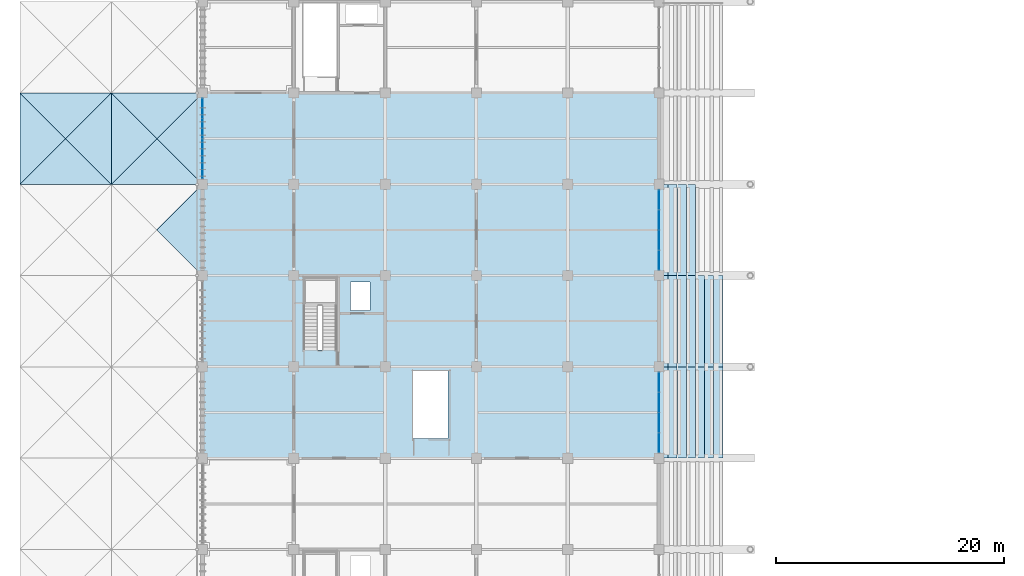
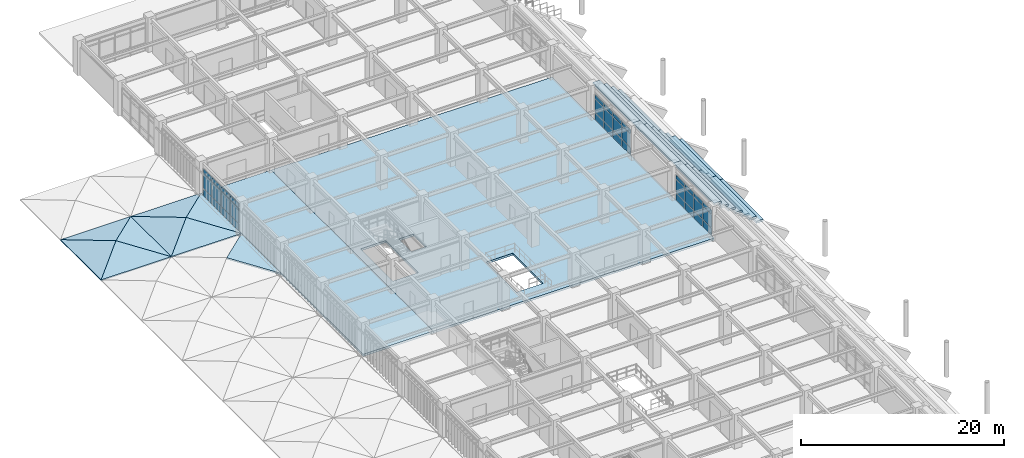
# One storey, part 70 of 118: 36 plates, 29 slabs, 3 elements without a shape of their own.
"""IFC4 building model written with IfcOpenShell, lengths in metres."""

from ifc_helpers import new_model, si_unit, direction, frame, origin, origin_2d, place, context, subcontext, project, spatial, polyline, rectangle, outline, extrude, material, layer, layer_set, type_object, element, aggregate, save


model = new_model("IFC4")

# Units and contexts
model_context = context("Model", 3, precision=1e-05, world=origin(), true_north=direction((0.0, 1.0)))
body_context = subcontext(model_context, "Body", "Model", "MODEL_VIEW")
ifc_project = project(units=[si_unit("LENGTHUNIT", "METRE"), si_unit("AREAUNIT", "SQUARE_METRE"), si_unit("VOLUMEUNIT", "CUBIC_METRE"), si_unit("PLANEANGLEUNIT", "RADIAN"), si_unit("MASSUNIT", "GRAM", prefix="KILO")], contexts=[model_context])

# Site, building, storey
site_placement = place(None, origin())
site = spatial("IfcSite", under=ifc_project, at=site_placement, CompositionType="ELEMENT")
building_placement = place(site_placement, origin())
building = spatial("IfcBuilding", under=site, at=building_placement, Name="Haebicheon Civic Stadium", CompositionType="ELEMENT")
storey_placement = place(building_placement, frame((0.0, 0.0, 14.39990234375)))
storey = spatial("IfcBuildingStorey", under=building, at=storey_placement, Name="L04", CompositionType="ELEMENT", Elevation=14.39990234375)

# Curtain wall, plates
ifc_material_1 = material(Name="Anodised aluminium and laminated glass", Category="aluminium")
ifc_layer_1 = layer(ifc_material_1, 0.179931640625, Name="Anodised aluminium and laminated glass")
ifc_layer_set_1 = layer_set([ifc_layer_1], Name="Anodised aluminium and laminated glass")
curtain_wall_type_1 = type_object("IfcCurtainWallType", Name="CW-7100x3330", PredefinedType="NOTDEFINED", material=ifc_layer_set_1)
curtain_wall_1_placement = place(storey_placement, origin())
curtain_wall_1 = element("IfcCurtainWall", 1, at=curtain_wall_1_placement, inside=storey, type_object=curtain_wall_type_1, material=ifc_layer_set_1, Name="L04 unitised curtain wall 110", PredefinedType="NOTDEFINED")
ifc_material_2 = material(Name="Double low-e acoustic laminated glass", Category="glass")
ifc_layer_2 = layer(ifc_material_2, 0.035888671875, Name="Double low-e acoustic laminated glass")
ifc_layer_set_2 = layer_set([ifc_layer_2], Name="Double low-e acoustic laminated glass")
plate_type_1 = type_object("IfcPlateType", Name="CWP-GLZ-36", PredefinedType="CURTAIN_PANEL", material=ifc_layer_set_2)
plate_1_placement = place(storey_placement, frame((24.0, 121.35498046875, 0.93505859375), z_axis=(0.0, 0.0, 1.0), x_axis=(0.0, 1.0, 0.0)))
plate_1 = element("IfcPlate", 2, at=plate_1_placement, type_object=plate_type_1, material=ifc_layer_set_2, Name="CW-L04-110 vision panel 1.2", PredefinedType="CURTAIN_PANEL", context=body_context, shape_type="SweptSolid", body=[
    extrude(rectangle(XDim=1.669921875, YDim=0.035888671875, at=origin_2d()), origin(), (0.0, 0.0, 1.0), 1.81005859375),
])
plate_2_placement = place(storey_placement, frame((24.0, 123.112060546875, 0.93505859375), z_axis=(0.0, 0.0, 1.0), x_axis=(0.0, 1.0, 0.0)))
plate_2 = element("IfcPlate", 3, at=plate_2_placement, type_object=plate_type_1, material=ifc_layer_set_2, Name="CW-L04-110 vision panel 2.2", PredefinedType="CURTAIN_PANEL", context=body_context, shape_type="SweptSolid", body=[
    extrude(rectangle(XDim=1.705078125, YDim=0.035888671875, at=origin_2d()), origin(), (0.0, 0.0, 1.0), 1.81005859375),
])
plate_3_placement = place(storey_placement, frame((24.0, 124.887939453125, 0.93505859375), z_axis=(0.0, 0.0, 1.0), x_axis=(0.0, 1.0, 0.0)))
plate_3 = element("IfcPlate", 4, at=plate_3_placement, type_object=plate_type_1, material=ifc_layer_set_2, Name="CW-L04-110 vision panel 3.2", PredefinedType="CURTAIN_PANEL", context=body_context, shape_type="SweptSolid", body=[
    extrude(rectangle(XDim=1.705078125, YDim=0.035888671875, at=origin_2d()), origin(), (0.0, 0.0, 1.0), 1.81005859375),
])
plate_4_placement = place(storey_placement, frame((24.0, 126.64501953125, 0.93505859375), z_axis=(0.0, 0.0, 1.0), x_axis=(0.0, 1.0, 0.0)))
plate_4 = element("IfcPlate", 5, at=plate_4_placement, type_object=plate_type_1, material=ifc_layer_set_2, Name="CW-L04-110 vision panel 4.2", PredefinedType="CURTAIN_PANEL", context=body_context, shape_type="SweptSolid", body=[
    extrude(rectangle(XDim=1.669921875, YDim=0.035888671875, at=origin_2d()), origin(), (0.0, 0.0, 1.0), 1.81005859375),
])

ifc_material_3 = material(Name="Anodised aluminium and laminated glass", Category="aluminium")
ifc_layer_3 = layer(ifc_material_3, 0.179931640625, Name="Anodised aluminium and laminated glass")
ifc_layer_set_3 = layer_set([ifc_layer_3], Name="Anodised aluminium and laminated glass")
curtain_wall_type_2 = type_object("IfcCurtainWallType", Name="CW-7100x3100", PredefinedType="NOTDEFINED", material=ifc_layer_set_3)
curtain_wall_2_placement = place(storey_placement, origin())
curtain_wall_2 = element("IfcCurtainWall", 6, at=curtain_wall_2_placement, inside=storey, type_object=curtain_wall_type_2, material=ifc_layer_set_3, Name="L04 unitised curtain wall 120", PredefinedType="NOTDEFINED")
plate_5_placement = place(storey_placement, frame((64.0, 97.35498046875, 0.93505859375), z_axis=(0.0, 0.0, 1.0), x_axis=(0.0, 1.0, 0.0)))
plate_5 = element("IfcPlate", 7, at=plate_5_placement, type_object=plate_type_1, material=ifc_layer_set_2, Name="CW-L04-120 vision panel 1.2", PredefinedType="CURTAIN_PANEL", context=body_context, shape_type="SweptSolid", body=[
    extrude(rectangle(XDim=1.669921875, YDim=0.035888671875, at=origin_2d()), origin(), (0.0, 0.0, 1.0), 1.580078125),
])
plate_6_placement = place(storey_placement, frame((64.0, 99.112060546875, 0.93505859375), z_axis=(0.0, 0.0, 1.0), x_axis=(0.0, 1.0, 0.0)))
plate_6 = element("IfcPlate", 8, at=plate_6_placement, type_object=plate_type_1, material=ifc_layer_set_2, Name="CW-L04-120 vision panel 2.2", PredefinedType="CURTAIN_PANEL", context=body_context, shape_type="SweptSolid", body=[
    extrude(rectangle(XDim=1.705078125, YDim=0.035888671875, at=origin_2d()), origin(), (0.0, 0.0, 1.0), 1.580078125),
])
plate_7_placement = place(storey_placement, frame((64.0, 100.887939453125, 0.93505859375), z_axis=(0.0, 0.0, 1.0), x_axis=(0.0, 1.0, 0.0)))
plate_7 = element("IfcPlate", 9, at=plate_7_placement, type_object=plate_type_1, material=ifc_layer_set_2, Name="CW-L04-120 vision panel 3.2", PredefinedType="CURTAIN_PANEL", context=body_context, shape_type="SweptSolid", body=[
    extrude(rectangle(XDim=1.705078125, YDim=0.035888671875, at=origin_2d()), origin(), (0.0, 0.0, 1.0), 1.580078125),
])
plate_8_placement = place(storey_placement, frame((64.0, 102.64501953125, 0.93505859375), z_axis=(0.0, 0.0, 1.0), x_axis=(0.0, 1.0, 0.0)))
plate_8 = element("IfcPlate", 10, at=plate_8_placement, type_object=plate_type_1, material=ifc_layer_set_2, Name="CW-L04-120 vision panel 4.2", PredefinedType="CURTAIN_PANEL", context=body_context, shape_type="SweptSolid", body=[
    extrude(rectangle(XDim=1.669921875, YDim=0.035888671875, at=origin_2d()), origin(), (0.0, 0.0, 1.0), 1.580078125),
])

curtain_wall_3_placement = place(storey_placement, origin())
curtain_wall_3 = element("IfcCurtainWall", 11, at=curtain_wall_3_placement, inside=storey, type_object=curtain_wall_type_2, material=ifc_layer_set_3, Name="L04 unitised curtain wall 121", PredefinedType="NOTDEFINED")
plate_9_placement = place(storey_placement, frame((64.0, 113.35498046875, 0.93505859375), z_axis=(0.0, 0.0, 1.0), x_axis=(0.0, 1.0, 0.0)))
plate_9 = element("IfcPlate", 12, at=plate_9_placement, type_object=plate_type_1, material=ifc_layer_set_2, Name="CW-L04-121 vision panel 1.2", PredefinedType="CURTAIN_PANEL", context=body_context, shape_type="SweptSolid", body=[
    extrude(rectangle(XDim=1.669921875, YDim=0.035888671875, at=origin_2d()), origin(), (0.0, 0.0, 1.0), 1.580078125),
])
plate_10_placement = place(storey_placement, frame((64.0, 115.112060546875, 0.93505859375), z_axis=(0.0, 0.0, 1.0), x_axis=(0.0, 1.0, 0.0)))
plate_10 = element("IfcPlate", 13, at=plate_10_placement, type_object=plate_type_1, material=ifc_layer_set_2, Name="CW-L04-121 vision panel 2.2", PredefinedType="CURTAIN_PANEL", context=body_context, shape_type="SweptSolid", body=[
    extrude(rectangle(XDim=1.705078125, YDim=0.035888671875, at=origin_2d()), origin(), (0.0, 0.0, 1.0), 1.580078125),
])
plate_11_placement = place(storey_placement, frame((64.0, 116.887939453125, 0.93505859375), z_axis=(0.0, 0.0, 1.0), x_axis=(0.0, 1.0, 0.0)))
plate_11 = element("IfcPlate", 14, at=plate_11_placement, type_object=plate_type_1, material=ifc_layer_set_2, Name="CW-L04-121 vision panel 3.2", PredefinedType="CURTAIN_PANEL", context=body_context, shape_type="SweptSolid", body=[
    extrude(rectangle(XDim=1.705078125, YDim=0.035888671875, at=origin_2d()), origin(), (0.0, 0.0, 1.0), 1.580078125),
])
plate_12_placement = place(storey_placement, frame((64.0, 118.64501953125, 0.93505859375), z_axis=(0.0, 0.0, 1.0), x_axis=(0.0, 1.0, 0.0)))
plate_12 = element("IfcPlate", 15, at=plate_12_placement, type_object=plate_type_1, material=ifc_layer_set_2, Name="CW-L04-121 vision panel 4.2", PredefinedType="CURTAIN_PANEL", context=body_context, shape_type="SweptSolid", body=[
    extrude(rectangle(XDim=1.669921875, YDim=0.035888671875, at=origin_2d()), origin(), (0.0, 0.0, 1.0), 1.580078125),
])

# Plate
ifc_material_4 = material(Name="Anodised aluminium 6063-T6", Category="aluminium")
ifc_layer_4 = layer(ifc_material_4, 0.053955078125, Name="Anodised aluminium 6063-T6")
ifc_layer_set_4 = layer_set([ifc_layer_4], Name="Anodised aluminium 6063-T6")
plate_type_2 = type_object("IfcPlateType", Name="CWP-SPD-54", PredefinedType="CURTAIN_PANEL", material=ifc_layer_set_4)
plate_13_placement = place(storey_placement, frame((24.0, 121.35498046875, 0.03515625), z_axis=(0.0, 0.0, 1.0), x_axis=(0.0, 1.0, 0.0)))
plate_13 = element("IfcPlate", 16, at=plate_13_placement, type_object=plate_type_2, material=ifc_layer_set_4, Name="CW-L04-110 spandrel panel 1.1", PredefinedType="CURTAIN_PANEL", context=body_context, shape_type="SweptSolid", body=[
    extrude(rectangle(XDim=1.669921875, YDim=0.053955078125, at=origin_2d()), origin(), (0.0, 0.0, 1.0), 0.830078125),
])

plate_14_placement = place(storey_placement, frame((24.0, 121.35498046875, 2.815185546875), z_axis=(0.0, 0.0, 1.0), x_axis=(0.0, 1.0, 0.0)))
plate_14 = element("IfcPlate", 17, at=plate_14_placement, type_object=plate_type_2, material=ifc_layer_set_4, Name="CW-L04-110 spandrel panel 1.3", PredefinedType="CURTAIN_PANEL", context=body_context, shape_type="SweptSolid", body=[
    extrude(rectangle(XDim=1.669921875, YDim=0.053955078125, at=origin_2d()), origin(), (0.0, 0.0, 1.0), 0.47998046875),
])

plate_15_placement = place(storey_placement, frame((24.0, 123.112060546875, 0.03515625), z_axis=(0.0, 0.0, 1.0), x_axis=(0.0, 1.0, 0.0)))
plate_15 = element("IfcPlate", 18, at=plate_15_placement, type_object=plate_type_2, material=ifc_layer_set_4, Name="CW-L04-110 spandrel panel 2.1", PredefinedType="CURTAIN_PANEL", context=body_context, shape_type="SweptSolid", body=[
    extrude(rectangle(XDim=1.705078125, YDim=0.053955078125, at=origin_2d()), origin(), (0.0, 0.0, 1.0), 0.830078125),
])

plate_16_placement = place(storey_placement, frame((24.0, 123.112060546875, 2.815185546875), z_axis=(0.0, 0.0, 1.0), x_axis=(0.0, 1.0, 0.0)))
plate_16 = element("IfcPlate", 19, at=plate_16_placement, type_object=plate_type_2, material=ifc_layer_set_4, Name="CW-L04-110 spandrel panel 2.3", PredefinedType="CURTAIN_PANEL", context=body_context, shape_type="SweptSolid", body=[
    extrude(rectangle(XDim=1.705078125, YDim=0.053955078125, at=origin_2d()), origin(), (0.0, 0.0, 1.0), 0.47998046875),
])

plate_17_placement = place(storey_placement, frame((24.0, 124.887939453125, 0.03515625), z_axis=(0.0, 0.0, 1.0), x_axis=(0.0, 1.0, 0.0)))
plate_17 = element("IfcPlate", 20, at=plate_17_placement, type_object=plate_type_2, material=ifc_layer_set_4, Name="CW-L04-110 spandrel panel 3.1", PredefinedType="CURTAIN_PANEL", context=body_context, shape_type="SweptSolid", body=[
    extrude(rectangle(XDim=1.705078125, YDim=0.053955078125, at=origin_2d()), origin(), (0.0, 0.0, 1.0), 0.830078125),
])

plate_18_placement = place(storey_placement, frame((24.0, 124.887939453125, 2.815185546875), z_axis=(0.0, 0.0, 1.0), x_axis=(0.0, 1.0, 0.0)))
plate_18 = element("IfcPlate", 21, at=plate_18_placement, type_object=plate_type_2, material=ifc_layer_set_4, Name="CW-L04-110 spandrel panel 3.3", PredefinedType="CURTAIN_PANEL", context=body_context, shape_type="SweptSolid", body=[
    extrude(rectangle(XDim=1.705078125, YDim=0.053955078125, at=origin_2d()), origin(), (0.0, 0.0, 1.0), 0.47998046875),
])

plate_19_placement = place(storey_placement, frame((24.0, 126.64501953125, 0.03515625), z_axis=(0.0, 0.0, 1.0), x_axis=(0.0, 1.0, 0.0)))
plate_19 = element("IfcPlate", 22, at=plate_19_placement, type_object=plate_type_2, material=ifc_layer_set_4, Name="CW-L04-110 spandrel panel 4.1", PredefinedType="CURTAIN_PANEL", context=body_context, shape_type="SweptSolid", body=[
    extrude(rectangle(XDim=1.669921875, YDim=0.053955078125, at=origin_2d()), origin(), (0.0, 0.0, 1.0), 0.830078125),
])

plate_20_placement = place(storey_placement, frame((24.0, 126.64501953125, 2.815185546875), z_axis=(0.0, 0.0, 1.0), x_axis=(0.0, 1.0, 0.0)))
plate_20 = element("IfcPlate", 23, at=plate_20_placement, type_object=plate_type_2, material=ifc_layer_set_4, Name="CW-L04-110 spandrel panel 4.3", PredefinedType="CURTAIN_PANEL", context=body_context, shape_type="SweptSolid", body=[
    extrude(rectangle(XDim=1.669921875, YDim=0.053955078125, at=origin_2d()), origin(), (0.0, 0.0, 1.0), 0.47998046875),
])

aggregate(curtain_wall_1, [plate_13, plate_1, plate_14, plate_15, plate_2, plate_16, plate_17, plate_3, plate_18, plate_19, plate_4, plate_20])

plate_21_placement = place(storey_placement, frame((64.0, 97.35498046875, 0.03515625), z_axis=(0.0, 0.0, 1.0), x_axis=(0.0, 1.0, 0.0)))
plate_21 = element("IfcPlate", 24, at=plate_21_placement, type_object=plate_type_2, material=ifc_layer_set_4, Name="CW-L04-120 spandrel panel 1.1", PredefinedType="CURTAIN_PANEL", context=body_context, shape_type="SweptSolid", body=[
    extrude(rectangle(XDim=1.669921875, YDim=0.053955078125, at=origin_2d()), origin(), (0.0, 0.0, 1.0), 0.830078125),
])

plate_22_placement = place(storey_placement, frame((64.0, 97.35498046875, 2.585205078125), z_axis=(0.0, 0.0, 1.0), x_axis=(0.0, 1.0, 0.0)))
plate_22 = element("IfcPlate", 25, at=plate_22_placement, type_object=plate_type_2, material=ifc_layer_set_4, Name="CW-L04-120 spandrel panel 1.3", PredefinedType="CURTAIN_PANEL", context=body_context, shape_type="SweptSolid", body=[
    extrude(rectangle(XDim=1.669921875, YDim=0.053955078125, at=origin_2d()), origin(), (0.0, 0.0, 1.0), 0.47998046875),
])

plate_23_placement = place(storey_placement, frame((64.0, 99.112060546875, 0.03515625), z_axis=(0.0, 0.0, 1.0), x_axis=(0.0, 1.0, 0.0)))
plate_23 = element("IfcPlate", 26, at=plate_23_placement, type_object=plate_type_2, material=ifc_layer_set_4, Name="CW-L04-120 spandrel panel 2.1", PredefinedType="CURTAIN_PANEL", context=body_context, shape_type="SweptSolid", body=[
    extrude(rectangle(XDim=1.705078125, YDim=0.053955078125, at=origin_2d()), origin(), (0.0, 0.0, 1.0), 0.830078125),
])

plate_24_placement = place(storey_placement, frame((64.0, 99.112060546875, 2.585205078125), z_axis=(0.0, 0.0, 1.0), x_axis=(0.0, 1.0, 0.0)))
plate_24 = element("IfcPlate", 27, at=plate_24_placement, type_object=plate_type_2, material=ifc_layer_set_4, Name="CW-L04-120 spandrel panel 2.3", PredefinedType="CURTAIN_PANEL", context=body_context, shape_type="SweptSolid", body=[
    extrude(rectangle(XDim=1.705078125, YDim=0.053955078125, at=origin_2d()), origin(), (0.0, 0.0, 1.0), 0.47998046875),
])

plate_25_placement = place(storey_placement, frame((64.0, 100.887939453125, 0.03515625), z_axis=(0.0, 0.0, 1.0), x_axis=(0.0, 1.0, 0.0)))
plate_25 = element("IfcPlate", 28, at=plate_25_placement, type_object=plate_type_2, material=ifc_layer_set_4, Name="CW-L04-120 spandrel panel 3.1", PredefinedType="CURTAIN_PANEL", context=body_context, shape_type="SweptSolid", body=[
    extrude(rectangle(XDim=1.705078125, YDim=0.053955078125, at=origin_2d()), origin(), (0.0, 0.0, 1.0), 0.830078125),
])

plate_26_placement = place(storey_placement, frame((64.0, 100.887939453125, 2.585205078125), z_axis=(0.0, 0.0, 1.0), x_axis=(0.0, 1.0, 0.0)))
plate_26 = element("IfcPlate", 29, at=plate_26_placement, type_object=plate_type_2, material=ifc_layer_set_4, Name="CW-L04-120 spandrel panel 3.3", PredefinedType="CURTAIN_PANEL", context=body_context, shape_type="SweptSolid", body=[
    extrude(rectangle(XDim=1.705078125, YDim=0.053955078125, at=origin_2d()), origin(), (0.0, 0.0, 1.0), 0.47998046875),
])

plate_27_placement = place(storey_placement, frame((64.0, 102.64501953125, 0.03515625), z_axis=(0.0, 0.0, 1.0), x_axis=(0.0, 1.0, 0.0)))
plate_27 = element("IfcPlate", 30, at=plate_27_placement, type_object=plate_type_2, material=ifc_layer_set_4, Name="CW-L04-120 spandrel panel 4.1", PredefinedType="CURTAIN_PANEL", context=body_context, shape_type="SweptSolid", body=[
    extrude(rectangle(XDim=1.669921875, YDim=0.053955078125, at=origin_2d()), origin(), (0.0, 0.0, 1.0), 0.830078125),
])

plate_28_placement = place(storey_placement, frame((64.0, 102.64501953125, 2.585205078125), z_axis=(0.0, 0.0, 1.0), x_axis=(0.0, 1.0, 0.0)))
plate_28 = element("IfcPlate", 31, at=plate_28_placement, type_object=plate_type_2, material=ifc_layer_set_4, Name="CW-L04-120 spandrel panel 4.3", PredefinedType="CURTAIN_PANEL", context=body_context, shape_type="SweptSolid", body=[
    extrude(rectangle(XDim=1.669921875, YDim=0.053955078125, at=origin_2d()), origin(), (0.0, 0.0, 1.0), 0.47998046875),
])

aggregate(curtain_wall_2, [plate_21, plate_5, plate_22, plate_23, plate_6, plate_24, plate_25, plate_7, plate_26, plate_27, plate_8, plate_28])

plate_29_placement = place(storey_placement, frame((64.0, 113.35498046875, 0.03515625), z_axis=(0.0, 0.0, 1.0), x_axis=(0.0, 1.0, 0.0)))
plate_29 = element("IfcPlate", 32, at=plate_29_placement, type_object=plate_type_2, material=ifc_layer_set_4, Name="CW-L04-121 spandrel panel 1.1", PredefinedType="CURTAIN_PANEL", context=body_context, shape_type="SweptSolid", body=[
    extrude(rectangle(XDim=1.669921875, YDim=0.053955078125, at=origin_2d()), origin(), (0.0, 0.0, 1.0), 0.830078125),
])

plate_30_placement = place(storey_placement, frame((64.0, 113.35498046875, 2.585205078125), z_axis=(0.0, 0.0, 1.0), x_axis=(0.0, 1.0, 0.0)))
plate_30 = element("IfcPlate", 33, at=plate_30_placement, type_object=plate_type_2, material=ifc_layer_set_4, Name="CW-L04-121 spandrel panel 1.3", PredefinedType="CURTAIN_PANEL", context=body_context, shape_type="SweptSolid", body=[
    extrude(rectangle(XDim=1.669921875, YDim=0.053955078125, at=origin_2d()), origin(), (0.0, 0.0, 1.0), 0.47998046875),
])

plate_31_placement = place(storey_placement, frame((64.0, 115.112060546875, 0.03515625), z_axis=(0.0, 0.0, 1.0), x_axis=(0.0, 1.0, 0.0)))
plate_31 = element("IfcPlate", 34, at=plate_31_placement, type_object=plate_type_2, material=ifc_layer_set_4, Name="CW-L04-121 spandrel panel 2.1", PredefinedType="CURTAIN_PANEL", context=body_context, shape_type="SweptSolid", body=[
    extrude(rectangle(XDim=1.705078125, YDim=0.053955078125, at=origin_2d()), origin(), (0.0, 0.0, 1.0), 0.830078125),
])

plate_32_placement = place(storey_placement, frame((64.0, 115.112060546875, 2.585205078125), z_axis=(0.0, 0.0, 1.0), x_axis=(0.0, 1.0, 0.0)))
plate_32 = element("IfcPlate", 35, at=plate_32_placement, type_object=plate_type_2, material=ifc_layer_set_4, Name="CW-L04-121 spandrel panel 2.3", PredefinedType="CURTAIN_PANEL", context=body_context, shape_type="SweptSolid", body=[
    extrude(rectangle(XDim=1.705078125, YDim=0.053955078125, at=origin_2d()), origin(), (0.0, 0.0, 1.0), 0.47998046875),
])

plate_33_placement = place(storey_placement, frame((64.0, 116.887939453125, 0.03515625), z_axis=(0.0, 0.0, 1.0), x_axis=(0.0, 1.0, 0.0)))
plate_33 = element("IfcPlate", 36, at=plate_33_placement, type_object=plate_type_2, material=ifc_layer_set_4, Name="CW-L04-121 spandrel panel 3.1", PredefinedType="CURTAIN_PANEL", context=body_context, shape_type="SweptSolid", body=[
    extrude(rectangle(XDim=1.705078125, YDim=0.053955078125, at=origin_2d()), origin(), (0.0, 0.0, 1.0), 0.830078125),
])

plate_34_placement = place(storey_placement, frame((64.0, 116.887939453125, 2.585205078125), z_axis=(0.0, 0.0, 1.0), x_axis=(0.0, 1.0, 0.0)))
plate_34 = element("IfcPlate", 37, at=plate_34_placement, type_object=plate_type_2, material=ifc_layer_set_4, Name="CW-L04-121 spandrel panel 3.3", PredefinedType="CURTAIN_PANEL", context=body_context, shape_type="SweptSolid", body=[
    extrude(rectangle(XDim=1.705078125, YDim=0.053955078125, at=origin_2d()), origin(), (0.0, 0.0, 1.0), 0.47998046875),
])

plate_35_placement = place(storey_placement, frame((64.0, 118.64501953125, 0.03515625), z_axis=(0.0, 0.0, 1.0), x_axis=(0.0, 1.0, 0.0)))
plate_35 = element("IfcPlate", 38, at=plate_35_placement, type_object=plate_type_2, material=ifc_layer_set_4, Name="CW-L04-121 spandrel panel 4.1", PredefinedType="CURTAIN_PANEL", context=body_context, shape_type="SweptSolid", body=[
    extrude(rectangle(XDim=1.669921875, YDim=0.053955078125, at=origin_2d()), origin(), (0.0, 0.0, 1.0), 0.830078125),
])

plate_36_placement = place(storey_placement, frame((64.0, 118.64501953125, 2.585205078125), z_axis=(0.0, 0.0, 1.0), x_axis=(0.0, 1.0, 0.0)))
plate_36 = element("IfcPlate", 39, at=plate_36_placement, type_object=plate_type_2, material=ifc_layer_set_4, Name="CW-L04-121 spandrel panel 4.3", PredefinedType="CURTAIN_PANEL", context=body_context, shape_type="SweptSolid", body=[
    extrude(rectangle(XDim=1.669921875, YDim=0.053955078125, at=origin_2d()), origin(), (0.0, 0.0, 1.0), 0.47998046875),
])

aggregate(curtain_wall_3, [plate_29, plate_9, plate_30, plate_31, plate_10, plate_32, plate_33, plate_11, plate_34, plate_35, plate_12, plate_36])

# Slabs
ifc_material_5 = material(Name="Concrete C40/50", Category="concrete")
ifc_layer_5 = layer(ifc_material_5, 0.260009765625, Name="Concrete C40/50")
ifc_layer_set_5 = layer_set([ifc_layer_5], Name="Concrete C40/50")
slab_type_1 = type_object("IfcSlabType", Name="SLB-FLR-260", PredefinedType="FLOOR", material=ifc_layer_set_5)
slab_1_placement = place(storey_placement, frame((0.0, 0.0, -0.260009765625)))
element("IfcSlab", 40, at=slab_1_placement, inside=storey, type_object=slab_type_1, material=ifc_layer_set_5, Name="L04 V1 structural slab 3.1", PredefinedType="FLOOR", context=body_context, shape_type="SweptSolid", body=[
    extrude(outline(polyline([(24.0, 96.0), (24.0, 104.0), (24.0, 112.0), (24.0, 120.0), (24.0, 128.0), (32.0, 128.0), (32.0, 120.0), (32.0, 112.0), (32.0, 104.0), (32.0, 96.0), (24.0, 96.0)])), origin(), (0.0, 0.0, 1.0), 0.260009765625),
])
slab_2_placement = place(storey_placement, frame((0.0, 0.0, -0.260009765625)))
element("IfcSlab", 41, at=slab_2_placement, inside=storey, type_object=slab_type_1, material=ifc_layer_set_5, Name="L04 V1 structural slab 7.1", PredefinedType="FLOOR", context=body_context, shape_type="SweptSolid", body=[
    extrude(outline(polyline([(32.0, 120.0), (32.0, 128.0), (40.0, 128.0), (48.0, 128.0), (56.0, 128.0), (64.0, 128.0), (64.0, 120.0), (64.0, 112.0), (64.0, 104.0), (64.0, 96.0), (56.0, 96.0), (48.0, 96.0), (40.0, 96.0), (32.0, 96.0), (32.0, 104.0), (32.0, 112.0), (32.0, 120.0)]), holes=[polyline([(32.840087890625, 105.4599609375), (35.739990234375, 105.4599609375), (35.739990234375, 111.840087890625), (32.840087890625, 111.840087890625), (32.840087890625, 105.4599609375)]), polyline([(36.969970703125, 108.929931640625), (38.669921875, 108.929931640625), (38.669921875, 111.429931640625), (36.969970703125, 111.429931640625), (36.969970703125, 108.929931640625)]), polyline([(42.4599609375, 97.699951171875), (45.5, 97.699951171875), (45.5, 103.699951171875), (42.4599609375, 103.699951171875), (42.4599609375, 97.699951171875)])]), origin(), (0.0, 0.0, 1.0), 0.260009765625),
])
ifc_material_6 = material(Name="Precast concrete C40/50", Category="concrete")
ifc_layer_6 = layer(ifc_material_6, 0.169921875, Name="Precast concrete C40/50")
ifc_layer_set_6 = layer_set([ifc_layer_6], Name="Precast concrete C40/50")
slab_type_2 = type_object("IfcSlabType", Name="SLB-ROOF-170", PredefinedType="ROOF", material=ifc_layer_set_6)
for number, where, z_axis, x_axis, name in (
    (42, (8.0, 120.0, 0.02001953125), (0.0, -0.219546201048, 0.975602104142), (1.0, 0.0, 0.0), "L04 V5 folded shell roof facet 10.S"),
    (43, (16.0, 120.0, 0.02001953125), (0.219546201048, 0.0, 0.975602104142), (0.0, 1.0, 0.0), "L04 V5 folded shell roof facet 10.E"),
    (44, (16.0, 128.0, 0.02001953125), (0.0, 0.219546201048, 0.975602104142), (-1.0, 0.0, 0.0), "L04 V5 folded shell roof facet 10.N"),
    (45, (8.0, 128.0, 0.02001953125), (-0.219546201048, 0.0, 0.975602104142), (0.0, -1.0, 0.0), "L04 V5 folded shell roof facet 10.W"),
    (46, (24.0, 112.0, 0.02001953125), (0.219546201048, 0.0, 0.975602104142), (0.0, 1.0, 0.0), "L04 V5 folded shell roof facet 20.E"),
    (47, (16.0, 120.0, 0.02001953125), (0.0, -0.219546201048, 0.975602104142), (1.0, 0.0, 0.0), "L04 V5 folded shell roof facet 21.S"),
    (48, (24.0, 120.0, 0.02001953125), (0.219546201048, 0.0, 0.975602104142), (0.0, 1.0, 0.0), "L04 V5 folded shell roof facet 21.E"),
    (49, (24.0, 128.0, 0.02001953125), (0.0, 0.219546201048, 0.975602104142), (-1.0, 0.0, 0.0), "L04 V5 folded shell roof facet 21.N"),
    (50, (16.0, 128.0, 0.02001953125), (-0.219546201048, 0.0, 0.975602104142), (0.0, -1.0, 0.0), "L04 V5 folded shell roof facet 21.W"),
):
    element("IfcSlab", number, at=place(storey_placement, frame(where, z_axis=z_axis, x_axis=x_axis)), inside=storey, type_object=slab_type_2, material=ifc_layer_set_6, Name=name, PredefinedType="ROOF", context=body_context, shape_type="SweptSolid", body=[
        extrude(outline(polyline([(0.0, 0.0), (8.0, 0.0), (4.0, 4.1000321575973855), (0.0, 0.0)])), origin(), (0.0, 0.0, -1.0), 0.169921875),
    ])
ifc_material_7 = material(Name="Precast concrete C40/50", Category="concrete")
ifc_layer_7 = layer(ifc_material_7, 0.239990234375, Name="Precast concrete C40/50")
ifc_layer_set_7 = layer_set([ifc_layer_7], Name="Precast concrete C40/50")
slab_type_3 = type_object("IfcSlabType", Name="SLB-TIER-240", PredefinedType="USERDEFINED", material=ifc_layer_set_7)
slab_3_placement = place(storey_placement, frame((0.0, 0.0, 0.093017578125)))
element("IfcSlab", 51, at=slab_3_placement, inside=storey, type_object=slab_type_3, material=ifc_layer_set_7, Name="TIER-W-U precast seating tier bay 7 row-band 4", ObjectType="SEATING TIER", PredefinedType="USERDEFINED", context=body_context, shape_type="SweptSolid", body=[
    extrude(outline(polyline([(68.800048828125, 96.0), (69.60009765625, 96.0), (69.60009765625, 104.0), (68.800048828125, 104.0), (68.800048828125, 96.0)])), origin(), (0.0, 0.0, 1.0), 0.239990234375),
])
slab_4_placement = place(storey_placement, frame((0.0, 0.0, 0.738037109375)))
element("IfcSlab", 52, at=slab_4_placement, inside=storey, type_object=slab_type_3, material=ifc_layer_set_7, Name="TIER-W-U precast seating tier bay 7 row-band 5", ObjectType="SEATING TIER", PredefinedType="USERDEFINED", context=body_context, shape_type="SweptSolid", body=[
    extrude(outline(polyline([(68.0, 96.0), (68.800048828125, 96.0), (68.800048828125, 104.0), (68.0, 104.0), (68.0, 96.0)])), origin(), (0.0, 0.0, 1.0), 0.239990234375),
])
slab_5_placement = place(storey_placement, frame((0.0, 0.0, 1.382080078125)))
element("IfcSlab", 53, at=slab_5_placement, inside=storey, type_object=slab_type_3, material=ifc_layer_set_7, Name="TIER-W-U precast seating tier bay 7 row-band 6", ObjectType="SEATING TIER", PredefinedType="USERDEFINED", context=body_context, shape_type="SweptSolid", body=[
    extrude(outline(polyline([(67.199951171875, 96.0), (68.0, 96.0), (68.0, 104.0), (67.199951171875, 104.0), (67.199951171875, 96.0)])), origin(), (0.0, 0.0, 1.0), 0.239990234375),
])
slab_6_placement = place(storey_placement, frame((0.0, 0.0, 2.027099609375)))
element("IfcSlab", 54, at=slab_6_placement, inside=storey, type_object=slab_type_3, material=ifc_layer_set_7, Name="TIER-W-U precast seating tier bay 7 row-band 7", ObjectType="SEATING TIER", PredefinedType="USERDEFINED", context=body_context, shape_type="SweptSolid", body=[
    extrude(outline(polyline([(66.39990234375, 96.0), (67.199951171875, 96.0), (67.199951171875, 104.0), (66.39990234375, 104.0), (66.39990234375, 96.0)])), origin(), (0.0, 0.0, 1.0), 0.239990234375),
])
slab_7_placement = place(storey_placement, frame((0.0, 0.0, 2.671142578125)))
element("IfcSlab", 55, at=slab_7_placement, inside=storey, type_object=slab_type_3, material=ifc_layer_set_7, Name="TIER-W-U precast seating tier bay 7 row-band 8", ObjectType="SEATING TIER", PredefinedType="USERDEFINED", context=body_context, shape_type="SweptSolid", body=[
    extrude(outline(polyline([(65.60009765625, 96.0), (66.39990234375, 96.0), (66.39990234375, 104.0), (65.60009765625, 104.0), (65.60009765625, 96.0)])), origin(), (0.0, 0.0, 1.0), 0.239990234375),
])
slab_8_placement = place(storey_placement, frame((0.0, 0.0, 3.316162109375)))
element("IfcSlab", 56, at=slab_8_placement, inside=storey, type_object=slab_type_3, material=ifc_layer_set_7, Name="TIER-W-U precast seating tier bay 7 row-band 9", ObjectType="SEATING TIER", PredefinedType="USERDEFINED", context=body_context, shape_type="SweptSolid", body=[
    extrude(outline(polyline([(64.800048828125, 96.0), (65.60009765625, 96.0), (65.60009765625, 104.0), (64.800048828125, 104.0), (64.800048828125, 96.0)])), origin(), (0.0, 0.0, 1.0), 0.239990234375),
])
slab_9_placement = place(storey_placement, frame((0.0, 0.0, 3.960205078125)))
element("IfcSlab", 57, at=slab_9_placement, inside=storey, type_object=slab_type_3, material=ifc_layer_set_7, Name="TIER-W-U precast seating tier bay 7 row-band 10", ObjectType="SEATING TIER", PredefinedType="USERDEFINED", context=body_context, shape_type="SweptSolid", body=[
    extrude(outline(polyline([(64.0, 96.0), (64.800048828125, 96.0), (64.800048828125, 104.0), (64.0, 104.0), (64.0, 96.0)])), origin(), (0.0, 0.0, 1.0), 0.239990234375),
])
slab_10_placement = place(storey_placement, frame((0.0, 0.0, 0.093017578125)))
element("IfcSlab", 58, at=slab_10_placement, inside=storey, type_object=slab_type_3, material=ifc_layer_set_7, Name="TIER-W-U precast seating tier bay 8 row-band 4", ObjectType="SEATING TIER", PredefinedType="USERDEFINED", context=body_context, shape_type="SweptSolid", body=[
    extrude(outline(polyline([(68.800048828125, 104.0), (69.60009765625, 104.0), (69.60009765625, 112.0), (68.800048828125, 112.0), (68.800048828125, 104.0)])), origin(), (0.0, 0.0, 1.0), 0.239990234375),
])
slab_11_placement = place(storey_placement, frame((0.0, 0.0, 0.738037109375)))
element("IfcSlab", 59, at=slab_11_placement, inside=storey, type_object=slab_type_3, material=ifc_layer_set_7, Name="TIER-W-U precast seating tier bay 8 row-band 5", ObjectType="SEATING TIER", PredefinedType="USERDEFINED", context=body_context, shape_type="SweptSolid", body=[
    extrude(outline(polyline([(68.0, 104.0), (68.800048828125, 104.0), (68.800048828125, 112.0), (68.0, 112.0), (68.0, 104.0)])), origin(), (0.0, 0.0, 1.0), 0.239990234375),
])
slab_12_placement = place(storey_placement, frame((0.0, 0.0, 1.382080078125)))
element("IfcSlab", 60, at=slab_12_placement, inside=storey, type_object=slab_type_3, material=ifc_layer_set_7, Name="TIER-W-U precast seating tier bay 8 row-band 6", ObjectType="SEATING TIER", PredefinedType="USERDEFINED", context=body_context, shape_type="SweptSolid", body=[
    extrude(outline(polyline([(67.199951171875, 104.0), (68.0, 104.0), (68.0, 112.0), (67.199951171875, 112.0), (67.199951171875, 104.0)])), origin(), (0.0, 0.0, 1.0), 0.239990234375),
])
slab_13_placement = place(storey_placement, frame((0.0, 0.0, 2.027099609375)))
element("IfcSlab", 61, at=slab_13_placement, inside=storey, type_object=slab_type_3, material=ifc_layer_set_7, Name="TIER-W-U precast seating tier bay 8 row-band 7", ObjectType="SEATING TIER", PredefinedType="USERDEFINED", context=body_context, shape_type="SweptSolid", body=[
    extrude(outline(polyline([(66.39990234375, 104.0), (67.199951171875, 104.0), (67.199951171875, 112.0), (66.39990234375, 112.0), (66.39990234375, 104.0)])), origin(), (0.0, 0.0, 1.0), 0.239990234375),
])
slab_14_placement = place(storey_placement, frame((0.0, 0.0, 2.671142578125)))
element("IfcSlab", 62, at=slab_14_placement, inside=storey, type_object=slab_type_3, material=ifc_layer_set_7, Name="TIER-W-U precast seating tier bay 8 row-band 8", ObjectType="SEATING TIER", PredefinedType="USERDEFINED", context=body_context, shape_type="SweptSolid", body=[
    extrude(outline(polyline([(65.60009765625, 104.0), (66.39990234375, 104.0), (66.39990234375, 112.0), (65.60009765625, 112.0), (65.60009765625, 104.0)])), origin(), (0.0, 0.0, 1.0), 0.239990234375),
])
slab_15_placement = place(storey_placement, frame((0.0, 0.0, 3.316162109375)))
element("IfcSlab", 63, at=slab_15_placement, inside=storey, type_object=slab_type_3, material=ifc_layer_set_7, Name="TIER-W-U precast seating tier bay 8 row-band 9", ObjectType="SEATING TIER", PredefinedType="USERDEFINED", context=body_context, shape_type="SweptSolid", body=[
    extrude(outline(polyline([(64.800048828125, 104.0), (65.60009765625, 104.0), (65.60009765625, 112.0), (64.800048828125, 112.0), (64.800048828125, 104.0)])), origin(), (0.0, 0.0, 1.0), 0.239990234375),
])
slab_16_placement = place(storey_placement, frame((0.0, 0.0, 3.960205078125)))
element("IfcSlab", 64, at=slab_16_placement, inside=storey, type_object=slab_type_3, material=ifc_layer_set_7, Name="TIER-W-U precast seating tier bay 8 row-band 10", ObjectType="SEATING TIER", PredefinedType="USERDEFINED", context=body_context, shape_type="SweptSolid", body=[
    extrude(outline(polyline([(64.0, 104.0), (64.800048828125, 104.0), (64.800048828125, 112.0), (64.0, 112.0), (64.0, 104.0)])), origin(), (0.0, 0.0, 1.0), 0.239990234375),
])
slab_17_placement = place(storey_placement, frame((0.0, 0.0, 2.027099609375)))
element("IfcSlab", 65, at=slab_17_placement, inside=storey, type_object=slab_type_3, material=ifc_layer_set_7, Name="TIER-W-U precast seating tier bay 9 row-band 7", ObjectType="SEATING TIER", PredefinedType="USERDEFINED", context=body_context, shape_type="SweptSolid", body=[
    extrude(outline(polyline([(66.39990234375, 112.0), (67.199951171875, 112.0), (67.199951171875, 120.0), (66.39990234375, 120.0), (66.39990234375, 112.0)])), origin(), (0.0, 0.0, 1.0), 0.239990234375),
])
slab_18_placement = place(storey_placement, frame((0.0, 0.0, 2.671142578125)))
element("IfcSlab", 66, at=slab_18_placement, inside=storey, type_object=slab_type_3, material=ifc_layer_set_7, Name="TIER-W-U precast seating tier bay 9 row-band 8", ObjectType="SEATING TIER", PredefinedType="USERDEFINED", context=body_context, shape_type="SweptSolid", body=[
    extrude(outline(polyline([(65.60009765625, 112.0), (66.39990234375, 112.0), (66.39990234375, 120.0), (65.60009765625, 120.0), (65.60009765625, 112.0)])), origin(), (0.0, 0.0, 1.0), 0.239990234375),
])
slab_19_placement = place(storey_placement, frame((0.0, 0.0, 3.316162109375)))
element("IfcSlab", 67, at=slab_19_placement, inside=storey, type_object=slab_type_3, material=ifc_layer_set_7, Name="TIER-W-U precast seating tier bay 9 row-band 9", ObjectType="SEATING TIER", PredefinedType="USERDEFINED", context=body_context, shape_type="SweptSolid", body=[
    extrude(outline(polyline([(64.800048828125, 112.0), (65.60009765625, 112.0), (65.60009765625, 120.0), (64.800048828125, 120.0), (64.800048828125, 112.0)])), origin(), (0.0, 0.0, 1.0), 0.239990234375),
])
slab_20_placement = place(storey_placement, frame((0.0, 0.0, 3.960205078125)))
element("IfcSlab", 68, at=slab_20_placement, inside=storey, type_object=slab_type_3, material=ifc_layer_set_7, Name="TIER-W-U precast seating tier bay 9 row-band 10", ObjectType="SEATING TIER", PredefinedType="USERDEFINED", context=body_context, shape_type="SweptSolid", body=[
    extrude(outline(polyline([(64.0, 112.0), (64.800048828125, 112.0), (64.800048828125, 120.0), (64.0, 120.0), (64.0, 112.0)])), origin(), (0.0, 0.0, 1.0), 0.239990234375),
])

save(model, "model.ifc")
